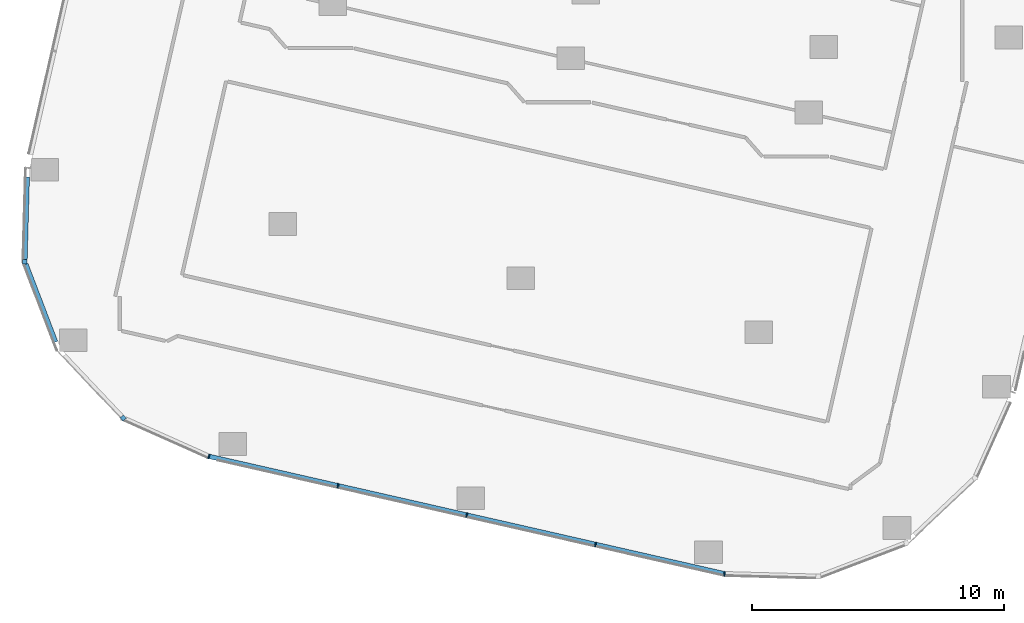
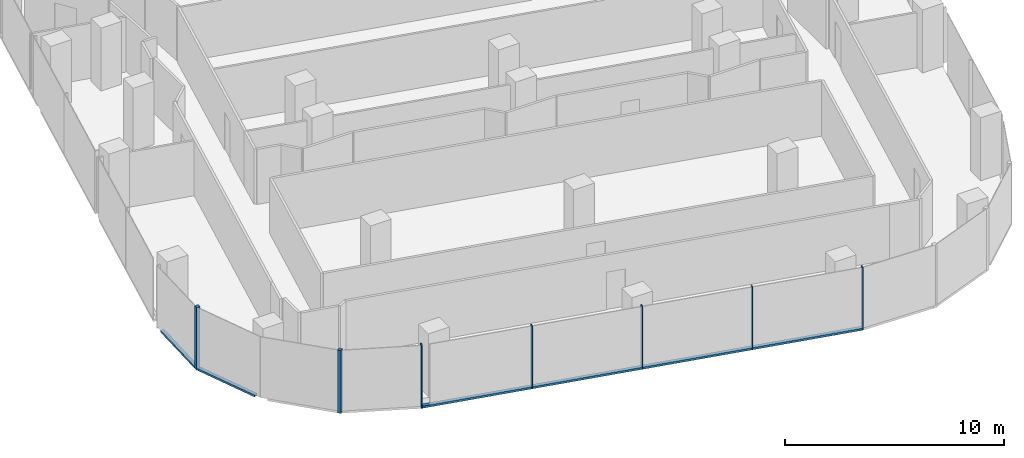
# One storey, part 2 of 24: 10 members, 5 elements without a shape of their own.
"""IFC4 building model written with IfcOpenShell, lengths in metres."""

import ifcopenshell
import ifcopenshell.guid

model = None  # the IFC model being written
_history = None  # IfcOwnerHistory: only IFC2X3 demands one
_inside = {}  # id of a spatial element -> (the spatial element, [elements in it])
_under = {}  # id of a project, library or spatial element -> (it, [spatial elements below it])
_declared = {}  # id of a project -> (the project, [libraries it declares])
_typed = {}  # id of a type object -> (the type object, [elements of that type])
_made_of = {}  # id of a material, layer set ... -> (it, [elements and type objects made of it])


def new_model(schema):
    """Start an empty IFC model of exactly this schema.

    Asked for "IFC4X3", IfcOpenShell would pick the latest addendum, in which some entities
    have other attributes; the version numbers below select the first issue.
    IFC2X3 requires an IfcOwnerHistory on every rooted entity: one is made here for all.
    """
    global model, _history
    if schema == "IFC4X3":
        model = ifcopenshell.file(schema_version=(4, 3, 0, 0))
    else:
        model = ifcopenshell.file(schema=schema)
    _inside.clear()
    _under.clear()
    _declared.clear()
    _typed.clear()
    _made_of.clear()
    _history = None
    if model.schema == "IFC2X3":
        org = make("IfcOrganization", Name="unknown")
        user = make(
            "IfcPersonAndOrganization",
            ThePerson=make("IfcPerson", FamilyName="unknown"),
            TheOrganization=org,
        )
        app = make(
            "IfcApplication",
            ApplicationDeveloper=org,
            Version="unknown",
            ApplicationFullName="unknown",
            ApplicationIdentifier="unknown",
        )
        _history = make(
            "IfcOwnerHistory",
            OwningUser=user,
            OwningApplication=app,
            ChangeAction="ADDED",
            CreationDate=0,
        )
    return model


def make(cls, **values):
    """One entity of the class cls with the attributes given. An attribute that is None is left unset."""
    return model.create_entity(
        cls, **{name: value for name, value in values.items() if value is not None}
    )


def rooted(cls, **values):
    """An entity with a GlobalId (a new one), such as an element, a storey or a relation."""
    return make(cls, GlobalId=ifcopenshell.guid.new(), OwnerHistory=_history, **values)


def si_unit(unit_type, name, prefix=None):
    """IfcSIUnit, for example si_unit("LENGTHUNIT", "METRE", prefix="MILLI")."""
    return make("IfcSIUnit", UnitType=unit_type, Prefix=prefix, Name=name)


def assignment(units):
    """IfcUnitAssignment: the units of a project."""
    return None if units is None else make("IfcUnitAssignment", Units=units)


def point(xyz):
    """IfcCartesianPoint."""
    return None if xyz is None else make("IfcCartesianPoint", Coordinates=xyz)


def direction(xyz):
    """IfcDirection."""
    return None if xyz is None else make("IfcDirection", DirectionRatios=xyz)


def frame(location, z_axis=None, x_axis=None):
    """IfcAxis2Placement3D, a coordinate frame: its origin and axes. An axis left out is left unset."""
    return make(
        "IfcAxis2Placement3D",
        Location=point(location),
        Axis=direction(z_axis),
        RefDirection=direction(x_axis),
    )


def frame_2d(location, x_axis=None):
    """IfcAxis2Placement2D, a coordinate frame in the plane: its origin and x axis."""
    return make(
        "IfcAxis2Placement2D", Location=point(location), RefDirection=direction(x_axis)
    )


def origin():
    """The frame at (0, 0, 0) with its axes left unset."""
    return frame((0.0, 0.0, 0.0))


def origin_2d():
    """The frame at (0, 0) in the plane with its x axis left unset."""
    return frame_2d((0.0, 0.0))


def place(relative_to, where):
    """IfcLocalPlacement: puts the frame where relative to a parent placement (None: the world)."""
    return make(
        "IfcLocalPlacement", PlacementRelTo=relative_to, RelativePlacement=where
    )


def context(
    kind, dimensions, precision=None, world=None, true_north=None, identifier=None
):
    """IfcGeometricRepresentationContext, for example the 3D "Model" context."""
    return make(
        "IfcGeometricRepresentationContext",
        ContextIdentifier=identifier,
        ContextType=kind,
        CoordinateSpaceDimension=dimensions,
        Precision=precision,
        WorldCoordinateSystem=world,
        TrueNorth=true_north,
    )


def subcontext(parent, identifier, kind, view, scale=None):
    """IfcGeometricRepresentationSubContext, for example "Body" below "Model"."""
    return make(
        "IfcGeometricRepresentationSubContext",
        ContextIdentifier=identifier,
        ContextType=kind,
        ParentContext=parent,
        TargetScale=scale,
        TargetView=view,
    )


def project(units=None, contexts=None):
    """IfcProject with its units and contexts."""
    return rooted(
        "IfcProject",
        Name="project",
        RepresentationContexts=contexts,
        UnitsInContext=assignment(units),
    )


def spatial(cls, under=None, at=None, **own):
    """A site, building, storey or space (cls), placed at a placement, below another one or the project."""
    s = rooted(cls, ObjectPlacement=at, **own)
    if under is not None:
        _under.setdefault(under.id(), (under, []))[1].append(s)
    return s


def profile(cls, at=None, kind="AREA", **sizes):
    """A parametric profile (cls). Its sizes go by their IFC names, for example OverallWidth=200.0."""
    return make(cls, ProfileType=kind, Position=at, **sizes)


def rectangle(**sizes):
    """IfcRectangleProfileDef."""
    return profile("IfcRectangleProfileDef", **sizes)


def extrude(swept, where, along, depth):
    """IfcExtrudedAreaSolid: the profile swept, set in the frame where, extruded along a direction by depth."""
    return make(
        "IfcExtrudedAreaSolid",
        SweptArea=swept,
        Position=where,
        ExtrudedDirection=direction(along),
        Depth=depth,
    )


def shape(context_of_items, identifier, shape_type, items):
    """IfcShapeRepresentation: the items that make up one representation, for example the "Body"."""
    return make(
        "IfcShapeRepresentation",
        ContextOfItems=context_of_items,
        RepresentationIdentifier=identifier,
        RepresentationType=shape_type,
        Items=items,
    )


def material(Name=None, Category=None):
    """IfcMaterial."""
    return make("IfcMaterial", Name=Name, Category=Category)


def material_profile(
    of_material, cross_section, Name=None, Category=None, Priority=None
):
    """IfcMaterialProfile: a cross section and its material."""
    return make(
        "IfcMaterialProfile",
        Name=Name,
        Material=of_material,
        Profile=cross_section,
        Priority=Priority,
        Category=Category,
    )


def profile_set(profiles, Name=None, composite=None):
    """IfcMaterialProfileSet."""
    return make(
        "IfcMaterialProfileSet",
        Name=Name,
        MaterialProfiles=profiles,
        CompositeProfile=composite,
    )


def made_of(thing, what):
    """Note that an element or type object is made of a material, layer set ...; save() writes the relation."""
    if what is not None:
        _made_of.setdefault(what.id(), (what, []))[1].append(thing)
    return thing


def type_object(cls, material=None, **own):
    """A type object (cls), such as IfcWallType, which elements share."""
    return made_of(rooted(cls, **own), material)


def element(
    cls,
    number,
    at=None,
    inside=None,
    cuts=None,
    type_object=None,
    material=None,
    context=None,
    identifier="Body",
    shape_type=None,
    held_by="IfcProductDefinitionShape",
    body=None,
    shapes=None,
    **own,
):
    """One element of the class cls, such as IfcWall. Its Tag is "e" and its number.

    at: its placement. inside: the storey or other place that contains it. cuts: it is an
    opening in that element (IfcRelVoidsElement). A single representation is given by context,
    identifier, shape_type and body (its items); several are given by shapes. held_by: the class
    of the entity that holds the representations. save() writes the other relations.
    """
    e = rooted(cls, Tag="e%d" % number, ObjectPlacement=at, **own)
    if body is not None:
        shapes = [shape(context, identifier, shape_type, body)]
    if shapes is not None:
        e.Representation = make(held_by, Representations=shapes)
    if inside is not None:
        _inside.setdefault(inside.id(), (inside, []))[1].append(e)
    if cuts is not None:
        rooted(
            "IfcRelVoidsElement", RelatingBuildingElement=cuts, RelatedOpeningElement=e
        )
    if type_object is not None:
        _typed.setdefault(type_object.id(), (type_object, []))[1].append(e)
    return made_of(e, material)


def aggregate(whole, parts):
    """IfcRelAggregates: a whole, such as a stair, and the parts it consists of."""
    return rooted("IfcRelAggregates", RelatingObject=whole, RelatedObjects=parts)


def save(model, path):
    """Write the relations noted so far, then the file.

    IfcRelAggregates (storeys below a building ...), IfcRelContainedInSpatialStructure (elements
    in a storey), IfcRelDefinesByType, IfcRelAssociatesMaterial and IfcRelDeclares: one each for
    every whole, place, type object, material and project.
    """
    for whole, parts in _under.values():
        aggregate(whole, parts)
    for where, things in _inside.values():
        rooted(
            "IfcRelContainedInSpatialStructure",
            RelatedElements=things,
            RelatingStructure=where,
        )
    for kind, things in _typed.values():
        rooted("IfcRelDefinesByType", RelatedObjects=things, RelatingType=kind)
    for what, things in _made_of.values():
        rooted("IfcRelAssociatesMaterial", RelatedObjects=things, RelatingMaterial=what)
    for by, libraries in _declared.values():
        rooted("IfcRelDeclares", RelatingContext=by, RelatedDefinitions=libraries)
    model.write(path)


model = new_model("IFC4")

# Units and contexts
model_context = context("Model", 3, precision=1e-05, world=origin(), true_north=direction((0.0, 1.0)))
body_context = subcontext(model_context, "Body", "Model", "MODEL_VIEW")
ifc_project = project(units=[si_unit("LENGTHUNIT", "METRE"), si_unit("AREAUNIT", "SQUARE_METRE"), si_unit("VOLUMEUNIT", "CUBIC_METRE"), si_unit("PLANEANGLEUNIT", "RADIAN"), si_unit("MASSUNIT", "GRAM", prefix="KILO")], contexts=[model_context])

# Site, building, storey
site_placement = place(None, origin())
site = spatial("IfcSite", under=ifc_project, at=site_placement, CompositionType="ELEMENT")
building_placement = place(site_placement, origin())
building = spatial("IfcBuilding", under=site, at=building_placement, Name="Orlundy Tower", CompositionType="ELEMENT")
storey_placement = place(building_placement, frame((0.0, 0.0, 170.60009765625)))
storey = spatial("IfcBuildingStorey", under=building, at=storey_placement, Name="L44", CompositionType="ELEMENT", Elevation=170.60009765625)

# Curtain wall, member
ifc_material_1 = material(Name="Aluminium bronze anodised", Category="aluminium")
curtain_wall_type = type_object("IfcCurtainWallType", Name="CW1 wall", PredefinedType="NOTDEFINED", material=ifc_material_1)
curtain_wall_1_placement = place(storey_placement, origin())
curtain_wall_1 = element("IfcCurtainWall", 1, at=curtain_wall_1_placement, inside=storey, type_object=curtain_wall_type, Name="CW1 run 025", PredefinedType="NOTDEFINED")
ifc_material_2 = material(Name="Aluminium bronze anodised", Category="aluminium")
ifc_material_profile_1 = material_profile(ifc_material_2, rectangle(XDim=0.179931640625, YDim=0.179931640625, at=origin_2d()), Name="CW1 corner post 180x180")
ifc_profile_set_1 = profile_set([ifc_material_profile_1], Name="Aluminium bronze anodised")
member_type_1 = type_object("IfcMemberType", Name="CW1 corner post 180x180", PredefinedType="MULLION", material=ifc_profile_set_1)
member_1_placement = place(storey_placement, frame((-27.113037109375, -55.21875, -0.420166015625), z_axis=(0.0, 0.0, 1.0), x_axis=(-0.726526655942, -0.68713828172, 0.0)))
member_1 = element("IfcMember", 2, at=member_1_placement, type_object=member_type_1, Name="CW1 mullion 58", PredefinedType="MULLION", context=body_context, shape_type="SweptSolid", body=[
    extrude(rectangle(XDim=0.179931640625, YDim=0.179931640625, at=origin_2d()), origin(), (0.0, 0.0, 1.0), 3.5),
])
aggregate(curtain_wall_1, [member_1])

curtain_wall_2_placement = place(storey_placement, origin())
curtain_wall_2 = element("IfcCurtainWall", 3, at=curtain_wall_2_placement, inside=storey, type_object=curtain_wall_type, Name="CW1 run 027", PredefinedType="NOTDEFINED")
member_2_placement = place(storey_placement, frame((-31.021484375, -49.00439453125, -0.420166015625), z_axis=(0.0, 0.0, 1.0), x_axis=(-0.999613796342, 0.027789533343, 0.0)))
member_2 = element("IfcMember", 4, at=member_2_placement, type_object=member_type_1, Name="CW1 mullion 60", PredefinedType="MULLION", context=body_context, shape_type="SweptSolid", body=[
    extrude(rectangle(XDim=0.179931640625, YDim=0.179931640625, at=origin_2d()), origin(), (0.0, 0.0, 1.0), 3.5),
])

# Curtain wall, members
curtain_wall_3_placement = place(storey_placement, origin())
curtain_wall_3 = element("IfcCurtainWall", 5, at=curtain_wall_3_placement, inside=storey, type_object=curtain_wall_type, Name="CW1 run 023", PredefinedType="NOTDEFINED")
ifc_material_3 = material(Name="Aluminium bronze anodised", Category="aluminium")
ifc_material_profile_2 = material_profile(ifc_material_3, rectangle(XDim=0.179931640625, YDim=0.050048828125, at=origin_2d()), Name="CW1 mullion 50x180")
ifc_profile_set_2 = profile_set([ifc_material_profile_2], Name="Aluminium bronze anodised")
member_type_2 = type_object("IfcMemberType", Name="CW1 mullion 50x180", PredefinedType="MULLION", material=ifc_profile_set_2)
member_3_placement = place(storey_placement, frame((-3.21142578125, -61.41064453125, -0.420166015625), z_axis=(0.0, 0.0, 1.0), x_axis=(-0.12540953917, -0.992105058693, 0.0)))
member_3 = element("IfcMember", 6, at=member_3_placement, type_object=member_type_2, Name="CW1 mullion 53", PredefinedType="MULLION", context=body_context, shape_type="SweptSolid", body=[
    extrude(rectangle(XDim=0.179931640625, YDim=0.050048828125, at=origin_2d()), origin(), (0.0, 0.0, 1.0), 3.5),
])
member_4_placement = place(storey_placement, frame((-8.3388671875, -60.24267578125, -0.420166015625), z_axis=(0.0, 0.0, 1.0), x_axis=(-0.222090335048, -0.975026093537, 0.0)))
member_4 = element("IfcMember", 7, at=member_4_placement, type_object=member_type_2, Name="CW1 mullion 54", PredefinedType="MULLION", context=body_context, shape_type="SweptSolid", body=[
    extrude(rectangle(XDim=0.179931640625, YDim=0.050048828125, at=origin_2d()), origin(), (0.0, 0.0, 1.0), 3.5),
])
member_5_placement = place(storey_placement, frame((-13.4580078125, -59.07666015625, -0.420166015625), z_axis=(0.0, 0.0, 1.0), x_axis=(-0.222090335048, -0.975026093537, 0.0)))
member_5 = element("IfcMember", 8, at=member_5_placement, type_object=member_type_2, Name="CW1 mullion 55", PredefinedType="MULLION", context=body_context, shape_type="SweptSolid", body=[
    extrude(rectangle(XDim=0.179931640625, YDim=0.050048828125, at=origin_2d()), origin(), (0.0, 0.0, 1.0), 3.5),
])
member_6_placement = place(storey_placement, frame((-18.576904296875, -57.91064453125, -0.420166015625), z_axis=(0.0, 0.0, 1.0), x_axis=(-0.222090335048, -0.975026093537, 0.0)))
member_6 = element("IfcMember", 9, at=member_6_placement, type_object=member_type_2, Name="CW1 mullion 56", PredefinedType="MULLION", context=body_context, shape_type="SweptSolid", body=[
    extrude(rectangle(XDim=0.179931640625, YDim=0.050048828125, at=origin_2d()), origin(), (0.0, 0.0, 1.0), 3.5),
])

# Curtain wall, member
curtain_wall_4_placement = place(storey_placement, origin())
curtain_wall_4 = element("IfcCurtainWall", 10, at=curtain_wall_4_placement, inside=storey, type_object=curtain_wall_type, Name="CW1 run 024", PredefinedType="NOTDEFINED")
member_7_placement = place(storey_placement, frame((-23.70458984375, -56.74267578125, -0.420166015625), z_axis=(0.0, 0.0, 1.0), x_axis=(-0.316654515257, -0.94854094164, 0.0)))
member_7 = element("IfcMember", 11, at=member_7_placement, type_object=member_type_2, Name="CW1 mullion 57", PredefinedType="MULLION", context=body_context, shape_type="SweptSolid", body=[
    extrude(rectangle(XDim=0.179931640625, YDim=0.050048828125, at=origin_2d()), origin(), (0.0, 0.0, 1.0), 3.5),
])
aggregate(curtain_wall_4, [member_7])

# Member
ifc_material_4 = material(Name="Aluminium bronze anodised", Category="aluminium")
ifc_material_profile_3 = material_profile(ifc_material_4, rectangle(XDim=0.179931640625, YDim=0.1201171875, at=origin_2d()), Name="CW1 transom 180x120")
ifc_profile_set_3 = profile_set([ifc_material_profile_3], Name="Aluminium bronze anodised")
member_type_3 = type_object("IfcMemberType", Name="CW1 transom 180x120", PredefinedType="USERDEFINED", material=ifc_profile_set_3)
member_8_placement = place(storey_placement, frame((-3.23583984375, -61.405029296875, -0.360107421875), z_axis=(-0.975026602826, 0.222088099144, 0.0), x_axis=(-0.222088099144, -0.975026602826, 0.0)))
member_8 = element("IfcMember", 12, at=member_8_placement, type_object=member_type_3, Name="CW1 transom", ObjectType="TRANSOM", PredefinedType="USERDEFINED", context=body_context, shape_type="SweptSolid", body=[
    extrude(rectangle(XDim=0.179931640625, YDim=0.1201171875, at=origin_2d()), origin(), (0.0, 0.0, 1.0), 20.968017578125),
])

aggregate(curtain_wall_3, [member_3, member_4, member_5, member_6, member_8])

# Curtain wall, member
curtain_wall_5_placement = place(storey_placement, origin())
curtain_wall_5 = element("IfcCurtainWall", 13, at=curtain_wall_5_placement, inside=storey, type_object=curtain_wall_type, Name="CW1 run 026", PredefinedType="NOTDEFINED")
member_9_placement = place(storey_placement, frame((-29.799072265625, -52.200927734375, -0.360107421875), z_axis=(-0.35716761429, 0.934040307108, 0.0), x_axis=(-0.934040307108, -0.35716761429, 0.0)))
member_9 = element("IfcMember", 14, at=member_9_placement, type_object=member_type_3, Name="CW1 transom", ObjectType="TRANSOM", PredefinedType="USERDEFINED", context=body_context, shape_type="SweptSolid", body=[
    extrude(rectangle(XDim=0.179931640625, YDim=0.1201171875, at=origin_2d()), origin(), (0.0, 0.0, 1.0), 3.32470703125),
])
aggregate(curtain_wall_5, [member_9])

# Member
member_10_placement = place(storey_placement, frame((-31.01904296875, -48.91455078125, -0.360107421875), z_axis=(0.027820893946, 0.999612924016, 0.0), x_axis=(-0.999612924016, 0.027820893946, 0.0)))
member_10 = element("IfcMember", 15, at=member_10_placement, type_object=member_type_3, Name="CW1 transom", ObjectType="TRANSOM", PredefinedType="USERDEFINED", context=body_context, shape_type="SweptSolid", body=[
    extrude(rectangle(XDim=0.179931640625, YDim=0.1201171875, at=origin_2d()), origin(), (0.0, 0.0, 1.0), 3.273193359375),
])

aggregate(curtain_wall_2, [member_2, member_10])

save(model, "model.ifc")
